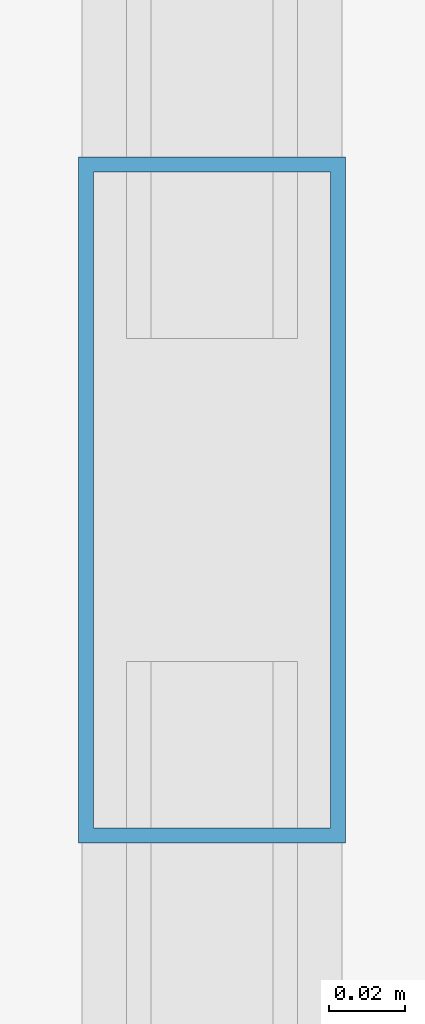
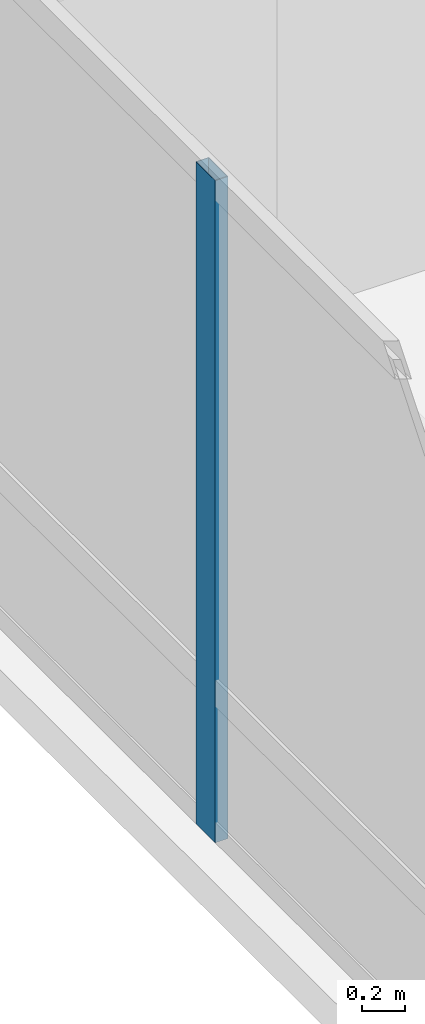
# One storey, part 9 of 51: 1 member, 1 element without a shape of its own.
"""IFC4 building model written with IfcOpenShell, lengths in metres."""

import ifcopenshell
import ifcopenshell.guid

model = None  # the IFC model being written
_history = None  # IfcOwnerHistory: only IFC2X3 demands one
_inside = {}  # id of a spatial element -> (the spatial element, [elements in it])
_under = {}  # id of a project, library or spatial element -> (it, [spatial elements below it])
_declared = {}  # id of a project -> (the project, [libraries it declares])
_typed = {}  # id of a type object -> (the type object, [elements of that type])
_made_of = {}  # id of a material, layer set ... -> (it, [elements and type objects made of it])


def new_model(schema):
    """Start an empty IFC model of exactly this schema.

    Asked for "IFC4X3", IfcOpenShell would pick the latest addendum, in which some entities
    have other attributes; the version numbers below select the first issue.
    IFC2X3 requires an IfcOwnerHistory on every rooted entity: one is made here for all.
    """
    global model, _history
    if schema == "IFC4X3":
        model = ifcopenshell.file(schema_version=(4, 3, 0, 0))
    else:
        model = ifcopenshell.file(schema=schema)
    _inside.clear()
    _under.clear()
    _declared.clear()
    _typed.clear()
    _made_of.clear()
    _history = None
    if model.schema == "IFC2X3":
        org = make("IfcOrganization", Name="unknown")
        user = make(
            "IfcPersonAndOrganization",
            ThePerson=make("IfcPerson", FamilyName="unknown"),
            TheOrganization=org,
        )
        app = make(
            "IfcApplication",
            ApplicationDeveloper=org,
            Version="unknown",
            ApplicationFullName="unknown",
            ApplicationIdentifier="unknown",
        )
        _history = make(
            "IfcOwnerHistory",
            OwningUser=user,
            OwningApplication=app,
            ChangeAction="ADDED",
            CreationDate=0,
        )
    return model


def make(cls, **values):
    """One entity of the class cls with the attributes given. An attribute that is None is left unset."""
    return model.create_entity(
        cls, **{name: value for name, value in values.items() if value is not None}
    )


def rooted(cls, **values):
    """An entity with a GlobalId (a new one), such as an element, a storey or a relation."""
    return make(cls, GlobalId=ifcopenshell.guid.new(), OwnerHistory=_history, **values)


def si_unit(unit_type, name, prefix=None):
    """IfcSIUnit, for example si_unit("LENGTHUNIT", "METRE", prefix="MILLI")."""
    return make("IfcSIUnit", UnitType=unit_type, Prefix=prefix, Name=name)


def assignment(units):
    """IfcUnitAssignment: the units of a project."""
    return None if units is None else make("IfcUnitAssignment", Units=units)


def point(xyz):
    """IfcCartesianPoint."""
    return None if xyz is None else make("IfcCartesianPoint", Coordinates=xyz)


def direction(xyz):
    """IfcDirection."""
    return None if xyz is None else make("IfcDirection", DirectionRatios=xyz)


def frame(location, z_axis=None, x_axis=None):
    """IfcAxis2Placement3D, a coordinate frame: its origin and axes. An axis left out is left unset."""
    return make(
        "IfcAxis2Placement3D",
        Location=point(location),
        Axis=direction(z_axis),
        RefDirection=direction(x_axis),
    )


def frame_2d(location, x_axis=None):
    """IfcAxis2Placement2D, a coordinate frame in the plane: its origin and x axis."""
    return make(
        "IfcAxis2Placement2D", Location=point(location), RefDirection=direction(x_axis)
    )


def origin():
    """The frame at (0, 0, 0) with its axes left unset."""
    return frame((0.0, 0.0, 0.0))


def origin_2d():
    """The frame at (0, 0) in the plane with its x axis left unset."""
    return frame_2d((0.0, 0.0))


def place(relative_to, where):
    """IfcLocalPlacement: puts the frame where relative to a parent placement (None: the world)."""
    return make(
        "IfcLocalPlacement", PlacementRelTo=relative_to, RelativePlacement=where
    )


def context(
    kind, dimensions, precision=None, world=None, true_north=None, identifier=None
):
    """IfcGeometricRepresentationContext, for example the 3D "Model" context."""
    return make(
        "IfcGeometricRepresentationContext",
        ContextIdentifier=identifier,
        ContextType=kind,
        CoordinateSpaceDimension=dimensions,
        Precision=precision,
        WorldCoordinateSystem=world,
        TrueNorth=true_north,
    )


def subcontext(parent, identifier, kind, view, scale=None):
    """IfcGeometricRepresentationSubContext, for example "Body" below "Model"."""
    return make(
        "IfcGeometricRepresentationSubContext",
        ContextIdentifier=identifier,
        ContextType=kind,
        ParentContext=parent,
        TargetScale=scale,
        TargetView=view,
    )


def project(units=None, contexts=None):
    """IfcProject with its units and contexts."""
    return rooted(
        "IfcProject",
        Name="project",
        RepresentationContexts=contexts,
        UnitsInContext=assignment(units),
    )


def spatial(cls, under=None, at=None, **own):
    """A site, building, storey or space (cls), placed at a placement, below another one or the project."""
    s = rooted(cls, ObjectPlacement=at, **own)
    if under is not None:
        _under.setdefault(under.id(), (under, []))[1].append(s)
    return s


def profile(cls, at=None, kind="AREA", **sizes):
    """A parametric profile (cls). Its sizes go by their IFC names, for example OverallWidth=200.0."""
    return make(cls, ProfileType=kind, Position=at, **sizes)


def hollow_rectangle(**sizes):
    """IfcRectangleHollowProfileDef."""
    return profile("IfcRectangleHollowProfileDef", **sizes)


def extrude(swept, where, along, depth):
    """IfcExtrudedAreaSolid: the profile swept, set in the frame where, extruded along a direction by depth."""
    return make(
        "IfcExtrudedAreaSolid",
        SweptArea=swept,
        Position=where,
        ExtrudedDirection=direction(along),
        Depth=depth,
    )


def shape(context_of_items, identifier, shape_type, items):
    """IfcShapeRepresentation: the items that make up one representation, for example the "Body"."""
    return make(
        "IfcShapeRepresentation",
        ContextOfItems=context_of_items,
        RepresentationIdentifier=identifier,
        RepresentationType=shape_type,
        Items=items,
    )


def material(Name=None, Category=None):
    """IfcMaterial."""
    return make("IfcMaterial", Name=Name, Category=Category)


def material_profile(
    of_material, cross_section, Name=None, Category=None, Priority=None
):
    """IfcMaterialProfile: a cross section and its material."""
    return make(
        "IfcMaterialProfile",
        Name=Name,
        Material=of_material,
        Profile=cross_section,
        Priority=Priority,
        Category=Category,
    )


def profile_set(profiles, Name=None, composite=None):
    """IfcMaterialProfileSet."""
    return make(
        "IfcMaterialProfileSet",
        Name=Name,
        MaterialProfiles=profiles,
        CompositeProfile=composite,
    )


def made_of(thing, what):
    """Note that an element or type object is made of a material, layer set ...; save() writes the relation."""
    if what is not None:
        _made_of.setdefault(what.id(), (what, []))[1].append(thing)
    return thing


def type_object(cls, material=None, **own):
    """A type object (cls), such as IfcWallType, which elements share."""
    return made_of(rooted(cls, **own), material)


def element(
    cls,
    number,
    at=None,
    inside=None,
    cuts=None,
    type_object=None,
    material=None,
    context=None,
    identifier="Body",
    shape_type=None,
    held_by="IfcProductDefinitionShape",
    body=None,
    shapes=None,
    **own,
):
    """One element of the class cls, such as IfcWall. Its Tag is "e" and its number.

    at: its placement. inside: the storey or other place that contains it. cuts: it is an
    opening in that element (IfcRelVoidsElement). A single representation is given by context,
    identifier, shape_type and body (its items); several are given by shapes. held_by: the class
    of the entity that holds the representations. save() writes the other relations.
    """
    e = rooted(cls, Tag="e%d" % number, ObjectPlacement=at, **own)
    if body is not None:
        shapes = [shape(context, identifier, shape_type, body)]
    if shapes is not None:
        e.Representation = make(held_by, Representations=shapes)
    if inside is not None:
        _inside.setdefault(inside.id(), (inside, []))[1].append(e)
    if cuts is not None:
        rooted(
            "IfcRelVoidsElement", RelatingBuildingElement=cuts, RelatedOpeningElement=e
        )
    if type_object is not None:
        _typed.setdefault(type_object.id(), (type_object, []))[1].append(e)
    return made_of(e, material)


def aggregate(whole, parts):
    """IfcRelAggregates: a whole, such as a stair, and the parts it consists of."""
    return rooted("IfcRelAggregates", RelatingObject=whole, RelatedObjects=parts)


def save(model, path):
    """Write the relations noted so far, then the file.

    IfcRelAggregates (storeys below a building ...), IfcRelContainedInSpatialStructure (elements
    in a storey), IfcRelDefinesByType, IfcRelAssociatesMaterial and IfcRelDeclares: one each for
    every whole, place, type object, material and project.
    """
    for whole, parts in _under.values():
        aggregate(whole, parts)
    for where, things in _inside.values():
        rooted(
            "IfcRelContainedInSpatialStructure",
            RelatedElements=things,
            RelatingStructure=where,
        )
    for kind, things in _typed.values():
        rooted("IfcRelDefinesByType", RelatedObjects=things, RelatingType=kind)
    for what, things in _made_of.values():
        rooted("IfcRelAssociatesMaterial", RelatedObjects=things, RelatingMaterial=what)
    for by, libraries in _declared.values():
        rooted("IfcRelDeclares", RelatingContext=by, RelatedDefinitions=libraries)
    model.write(path)


model = new_model("IFC4")

# Units and contexts
model_context = context("Model", 3, precision=1e-05, world=origin(), true_north=direction((0.0, 1.0)))
body_context = subcontext(model_context, "Body", "Model", "MODEL_VIEW")
ifc_project = project(units=[si_unit("LENGTHUNIT", "METRE"), si_unit("AREAUNIT", "SQUARE_METRE"), si_unit("VOLUMEUNIT", "CUBIC_METRE"), si_unit("PLANEANGLEUNIT", "RADIAN"), si_unit("MASSUNIT", "GRAM", prefix="KILO")], contexts=[model_context])

# Site, building, storey
site_placement = place(None, origin())
site = spatial("IfcSite", under=ifc_project, at=site_placement, CompositionType="ELEMENT")
building_placement = place(site_placement, origin())
building = spatial("IfcBuilding", under=site, at=building_placement, Name="Punatoya Terracotta Tower", CompositionType="ELEMENT")
storey_placement = place(building_placement, frame((0.0, 0.0, 279.75)))
storey = spatial("IfcBuildingStorey", under=building, at=storey_placement, Name="L66", CompositionType="ELEMENT", Elevation=279.75)

# Curtain wall, member
ifc_material_1 = material(Name="Aluminium 6063-T6 + Double Low-E Glass", Category="aluminium")
curtain_wall_type = type_object("IfcCurtainWallType", Name="CW-M3", PredefinedType="NOTDEFINED", material=ifc_material_1)
curtain_wall_placement = place(storey_placement, origin())
curtain_wall = element("IfcCurtainWall", 1, at=curtain_wall_placement, inside=storey, type_object=curtain_wall_type, Name="L66 Curtain Wall CW-L66-W13-1", PredefinedType="NOTDEFINED")
ifc_material_2 = material(Name="Aluminium 6063-T6", Category="aluminium")
ifc_material_profile = material_profile(ifc_material_2, hollow_rectangle(XDim=0.070068359375, YDim=0.179931640625, WallThickness=0.00390625, at=origin_2d()))
ifc_profile_set = profile_set([ifc_material_profile], Name="Aluminium 6063-T6")
member_type = type_object("IfcMemberType", Name="CW-MUL-M3", PredefinedType="MULLION", material=ifc_profile_set)
member_placement = place(storey_placement, frame((-20.050048828125, 0.585693359375, 0.0), z_axis=(0.0, 0.0, 1.0), x_axis=(1.0, 0.0, 0.0)))
member = element("IfcMember", 2, at=member_placement, type_object=member_type, Name="CW-L66-W13-1 Mullion 04", PredefinedType="MULLION", context=body_context, shape_type="SweptSolid", body=[
    extrude(hollow_rectangle(XDim=0.070068359375, YDim=0.179931640625, WallThickness=0.00390625, at=origin_2d()), origin(), (0.0, 0.0, 1.0), 3.77001953125),
])
aggregate(curtain_wall, [member])

save(model, "model.ifc")
